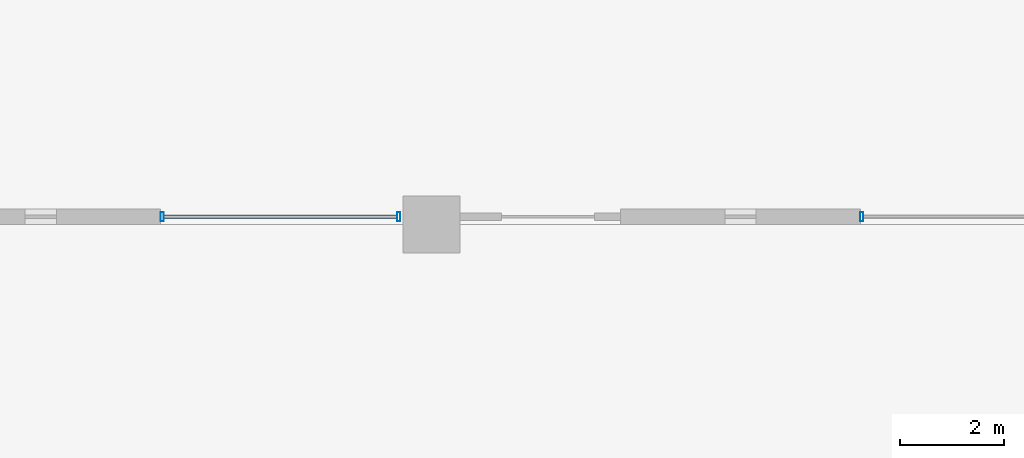
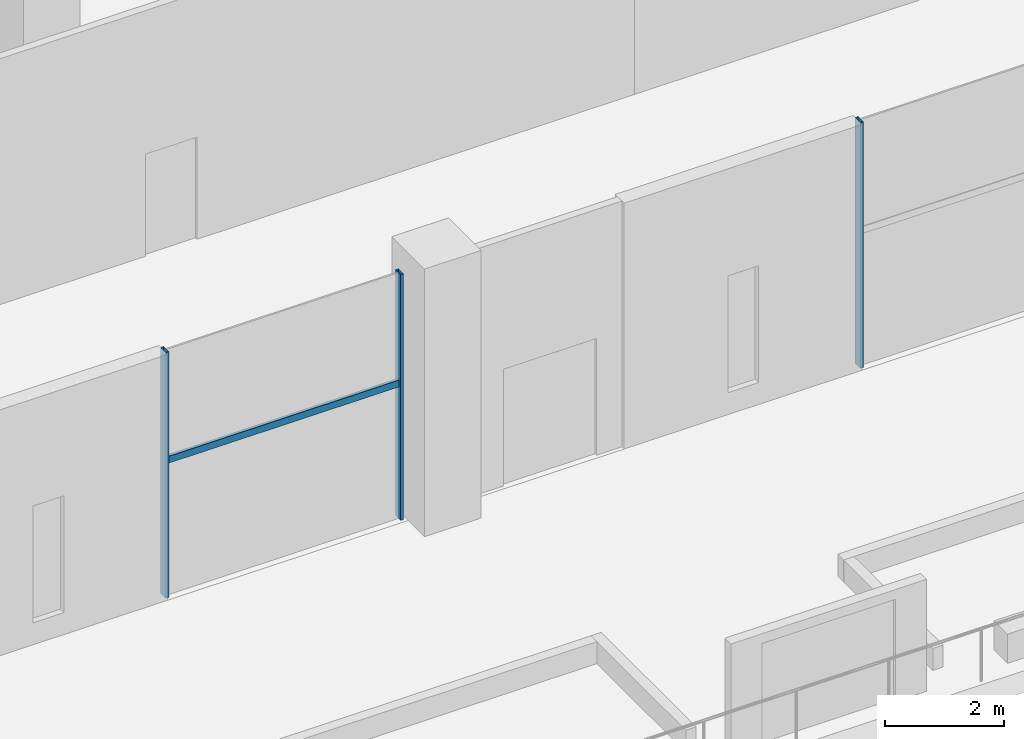
# One storey, part 3 of 47: 4 members, 2 elements without a shape of their own.
"""IFC4 building model written with IfcOpenShell, lengths in metres."""

from ifc_helpers import new_model, si_unit, direction, frame, origin, origin_2d, place, context, subcontext, project, spatial, hollow_rectangle, extrude, material, material_profile, profile_set, type_object, element, aggregate, save


model = new_model("IFC4")

# Units and contexts
model_context = context("Model", 3, precision=1e-05, world=origin(), true_north=direction((0.0, 1.0)))
body_context = subcontext(model_context, "Body", "Model", "MODEL_VIEW")
ifc_project = project(units=[si_unit("LENGTHUNIT", "METRE"), si_unit("AREAUNIT", "SQUARE_METRE"), si_unit("VOLUMEUNIT", "CUBIC_METRE"), si_unit("PLANEANGLEUNIT", "RADIAN"), si_unit("MASSUNIT", "GRAM", prefix="KILO")], contexts=[model_context])

# Site, building, storey
site_placement = place(None, origin())
site = spatial("IfcSite", under=ifc_project, at=site_placement, CompositionType="ELEMENT")
building_placement = place(site_placement, origin())
building = spatial("IfcBuilding", under=site, at=building_placement, Name="Altepetl Exchange Towers", CompositionType="ELEMENT")
storey_placement = place(building_placement, frame((0.0, 0.0, 6.0)))
storey = spatial("IfcBuildingStorey", under=building, at=storey_placement, Name="L01 Retail podium", CompositionType="ELEMENT", Elevation=6.0)

# Curtain wall, members
ifc_material_1 = material(Name="Aluminium 6063-T6 glazing", Category="aluminium")
curtain_wall_type = type_object("IfcCurtainWallType", Name="Podium storefront system", PredefinedType="NOTDEFINED", material=ifc_material_1)
curtain_wall_1_placement = place(storey_placement, origin())
curtain_wall_1 = element("IfcCurtainWall", 1, at=curtain_wall_1_placement, inside=storey, type_object=curtain_wall_type, Name="CW5 run", PredefinedType="NOTDEFINED")
ifc_material_2 = material(Name="Aluminium 6063-T6", Category="aluminium")
ifc_material_profile_1 = material_profile(ifc_material_2, hollow_rectangle(XDim=0.06005859375, YDim=0.175048828125, WallThickness=0.0029296875, at=origin_2d()), Name="Mullion 60x175 aluminium")
ifc_profile_set_1 = profile_set([ifc_material_profile_1], Name="Aluminium 6063-T6")
member_type_1 = type_object("IfcMemberType", Name="Mullion 60x175 aluminium", PredefinedType="MULLION", material=ifc_profile_set_1)
member_1_placement = place(storey_placement, frame((30.804931640625, 9.14990234375, 0.0)))
member_1 = element("IfcMember", 2, at=member_1_placement, type_object=member_type_1, Name="MU4 mullion", PredefinedType="MULLION", context=body_context, shape_type="SweptSolid", body=[
    extrude(hollow_rectangle(XDim=0.06005859375, YDim=0.175048828125, WallThickness=0.0029296875, at=origin_2d()), origin(), (0.0, 0.0, 1.0), 5.050048828125),
])
member_2_placement = place(storey_placement, frame((35.3701171875, 9.14990234375, 0.0)))
member_2 = element("IfcMember", 3, at=member_2_placement, type_object=member_type_1, Name="MU4 mullion", PredefinedType="MULLION", context=body_context, shape_type="SweptSolid", body=[
    extrude(hollow_rectangle(XDim=0.06005859375, YDim=0.175048828125, WallThickness=0.0029296875, at=origin_2d()), origin(), (0.0, 0.0, 1.0), 5.050048828125),
])

# Curtain wall, member
curtain_wall_2_placement = place(storey_placement, origin())
curtain_wall_2 = element("IfcCurtainWall", 4, at=curtain_wall_2_placement, inside=storey, type_object=curtain_wall_type, Name="CW5 run", PredefinedType="NOTDEFINED")
member_3_placement = place(storey_placement, frame((44.304931640625, 9.14990234375, 0.0)))
member_3 = element("IfcMember", 5, at=member_3_placement, type_object=member_type_1, Name="MU4 mullion", PredefinedType="MULLION", context=body_context, shape_type="SweptSolid", body=[
    extrude(hollow_rectangle(XDim=0.06005859375, YDim=0.175048828125, WallThickness=0.0029296875, at=origin_2d()), origin(), (0.0, 0.0, 1.0), 5.050048828125),
])
aggregate(curtain_wall_2, [member_3])

# Member
ifc_material_profile_2 = material_profile(ifc_material_2, hollow_rectangle(XDim=0.06005859375, YDim=0.139892578125, WallThickness=0.0029296875, at=origin_2d()), Name="Transom 60x140 aluminium")
ifc_profile_set_2 = profile_set([ifc_material_profile_2], Name="Aluminium 6063-T6")
member_type_2 = type_object("IfcMemberType", Name="Transom 60x140 aluminium", PredefinedType="USERDEFINED", material=ifc_profile_set_2)
member_4_placement = place(storey_placement, frame((30.8349609375, 9.14990234375, 2.780029296875), z_axis=(1.0, 0.0, 0.0), x_axis=(0.0, 1.0, 0.0)))
member_4 = element("IfcMember", 6, at=member_4_placement, type_object=member_type_2, Name="TR3 transom", ObjectType="TRANSOM", PredefinedType="USERDEFINED", context=body_context, shape_type="SweptSolid", body=[
    extrude(hollow_rectangle(XDim=0.06005859375, YDim=0.139892578125, WallThickness=0.0029296875, at=origin_2d()), origin(), (0.0, 0.0, 1.0), 4.505126953125),
])

aggregate(curtain_wall_1, [member_1, member_2, member_4])

save(model, "model.ifc")
